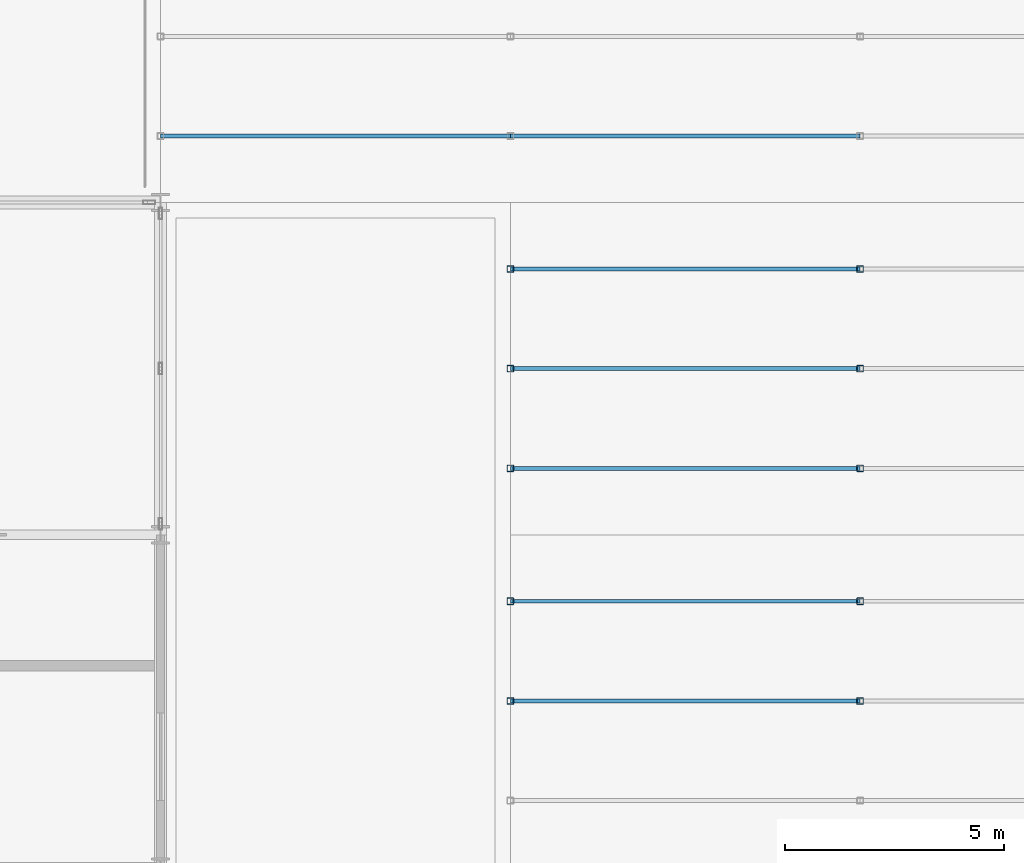
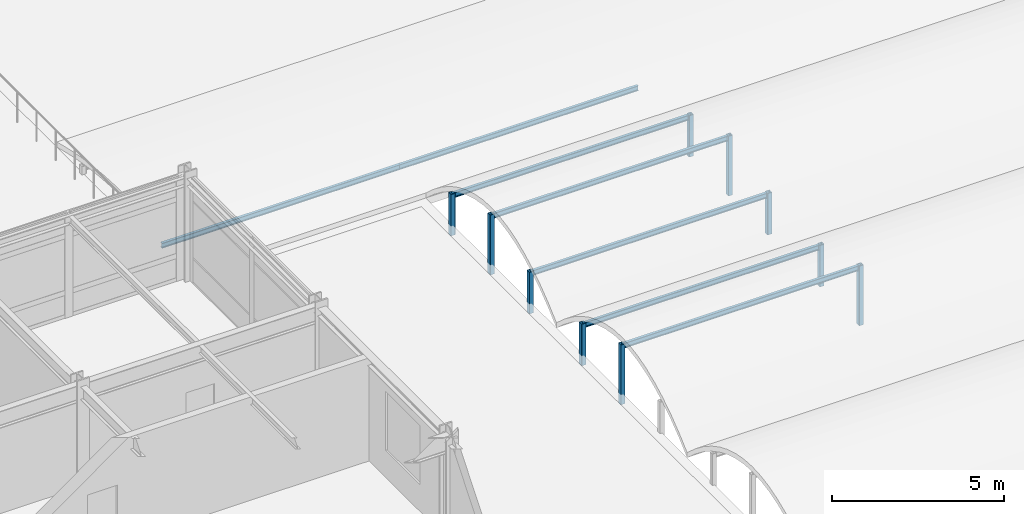
# One storey, part 18 of 46: 17 members.
"""IFC4 building model written with IfcOpenShell, lengths in metres."""

import ifcopenshell
import ifcopenshell.guid

model = None  # the IFC model being written
_history = None  # IfcOwnerHistory: only IFC2X3 demands one
_inside = {}  # id of a spatial element -> (the spatial element, [elements in it])
_under = {}  # id of a project, library or spatial element -> (it, [spatial elements below it])
_declared = {}  # id of a project -> (the project, [libraries it declares])
_typed = {}  # id of a type object -> (the type object, [elements of that type])
_made_of = {}  # id of a material, layer set ... -> (it, [elements and type objects made of it])


def new_model(schema):
    """Start an empty IFC model of exactly this schema.

    Asked for "IFC4X3", IfcOpenShell would pick the latest addendum, in which some entities
    have other attributes; the version numbers below select the first issue.
    IFC2X3 requires an IfcOwnerHistory on every rooted entity: one is made here for all.
    """
    global model, _history
    if schema == "IFC4X3":
        model = ifcopenshell.file(schema_version=(4, 3, 0, 0))
    else:
        model = ifcopenshell.file(schema=schema)
    _inside.clear()
    _under.clear()
    _declared.clear()
    _typed.clear()
    _made_of.clear()
    _history = None
    if model.schema == "IFC2X3":
        org = make("IfcOrganization", Name="unknown")
        user = make(
            "IfcPersonAndOrganization",
            ThePerson=make("IfcPerson", FamilyName="unknown"),
            TheOrganization=org,
        )
        app = make(
            "IfcApplication",
            ApplicationDeveloper=org,
            Version="unknown",
            ApplicationFullName="unknown",
            ApplicationIdentifier="unknown",
        )
        _history = make(
            "IfcOwnerHistory",
            OwningUser=user,
            OwningApplication=app,
            ChangeAction="ADDED",
            CreationDate=0,
        )
    return model


def make(cls, **values):
    """One entity of the class cls with the attributes given. An attribute that is None is left unset."""
    return model.create_entity(
        cls, **{name: value for name, value in values.items() if value is not None}
    )


def rooted(cls, **values):
    """An entity with a GlobalId (a new one), such as an element, a storey or a relation."""
    return make(cls, GlobalId=ifcopenshell.guid.new(), OwnerHistory=_history, **values)


def si_unit(unit_type, name, prefix=None):
    """IfcSIUnit, for example si_unit("LENGTHUNIT", "METRE", prefix="MILLI")."""
    return make("IfcSIUnit", UnitType=unit_type, Prefix=prefix, Name=name)


def assignment(units):
    """IfcUnitAssignment: the units of a project."""
    return None if units is None else make("IfcUnitAssignment", Units=units)


def point(xyz):
    """IfcCartesianPoint."""
    return None if xyz is None else make("IfcCartesianPoint", Coordinates=xyz)


def direction(xyz):
    """IfcDirection."""
    return None if xyz is None else make("IfcDirection", DirectionRatios=xyz)


def frame(location, z_axis=None, x_axis=None):
    """IfcAxis2Placement3D, a coordinate frame: its origin and axes. An axis left out is left unset."""
    return make(
        "IfcAxis2Placement3D",
        Location=point(location),
        Axis=direction(z_axis),
        RefDirection=direction(x_axis),
    )


def frame_2d(location, x_axis=None):
    """IfcAxis2Placement2D, a coordinate frame in the plane: its origin and x axis."""
    return make(
        "IfcAxis2Placement2D", Location=point(location), RefDirection=direction(x_axis)
    )


def origin():
    """The frame at (0, 0, 0) with its axes left unset."""
    return frame((0.0, 0.0, 0.0))


def origin_2d():
    """The frame at (0, 0) in the plane with its x axis left unset."""
    return frame_2d((0.0, 0.0))


def place(relative_to, where):
    """IfcLocalPlacement: puts the frame where relative to a parent placement (None: the world)."""
    return make(
        "IfcLocalPlacement", PlacementRelTo=relative_to, RelativePlacement=where
    )


def context(
    kind, dimensions, precision=None, world=None, true_north=None, identifier=None
):
    """IfcGeometricRepresentationContext, for example the 3D "Model" context."""
    return make(
        "IfcGeometricRepresentationContext",
        ContextIdentifier=identifier,
        ContextType=kind,
        CoordinateSpaceDimension=dimensions,
        Precision=precision,
        WorldCoordinateSystem=world,
        TrueNorth=true_north,
    )


def subcontext(parent, identifier, kind, view, scale=None):
    """IfcGeometricRepresentationSubContext, for example "Body" below "Model"."""
    return make(
        "IfcGeometricRepresentationSubContext",
        ContextIdentifier=identifier,
        ContextType=kind,
        ParentContext=parent,
        TargetScale=scale,
        TargetView=view,
    )


def project(units=None, contexts=None):
    """IfcProject with its units and contexts."""
    return rooted(
        "IfcProject",
        Name="project",
        RepresentationContexts=contexts,
        UnitsInContext=assignment(units),
    )


def spatial(cls, under=None, at=None, **own):
    """A site, building, storey or space (cls), placed at a placement, below another one or the project."""
    s = rooted(cls, ObjectPlacement=at, **own)
    if under is not None:
        _under.setdefault(under.id(), (under, []))[1].append(s)
    return s


def profile(cls, at=None, kind="AREA", **sizes):
    """A parametric profile (cls). Its sizes go by their IFC names, for example OverallWidth=200.0."""
    return make(cls, ProfileType=kind, Position=at, **sizes)


def hollow_rectangle(**sizes):
    """IfcRectangleHollowProfileDef."""
    return profile("IfcRectangleHollowProfileDef", **sizes)


def i_section(**sizes):
    """IfcIShapeProfileDef."""
    return profile("IfcIShapeProfileDef", **sizes)


def extrude(swept, where, along, depth):
    """IfcExtrudedAreaSolid: the profile swept, set in the frame where, extruded along a direction by depth."""
    return make(
        "IfcExtrudedAreaSolid",
        SweptArea=swept,
        Position=where,
        ExtrudedDirection=direction(along),
        Depth=depth,
    )


def shape(context_of_items, identifier, shape_type, items):
    """IfcShapeRepresentation: the items that make up one representation, for example the "Body"."""
    return make(
        "IfcShapeRepresentation",
        ContextOfItems=context_of_items,
        RepresentationIdentifier=identifier,
        RepresentationType=shape_type,
        Items=items,
    )


def material(Name=None, Category=None):
    """IfcMaterial."""
    return make("IfcMaterial", Name=Name, Category=Category)


def material_profile(
    of_material, cross_section, Name=None, Category=None, Priority=None
):
    """IfcMaterialProfile: a cross section and its material."""
    return make(
        "IfcMaterialProfile",
        Name=Name,
        Material=of_material,
        Profile=cross_section,
        Priority=Priority,
        Category=Category,
    )


def profile_set(profiles, Name=None, composite=None):
    """IfcMaterialProfileSet."""
    return make(
        "IfcMaterialProfileSet",
        Name=Name,
        MaterialProfiles=profiles,
        CompositeProfile=composite,
    )


def made_of(thing, what):
    """Note that an element or type object is made of a material, layer set ...; save() writes the relation."""
    if what is not None:
        _made_of.setdefault(what.id(), (what, []))[1].append(thing)
    return thing


def type_object(cls, material=None, **own):
    """A type object (cls), such as IfcWallType, which elements share."""
    return made_of(rooted(cls, **own), material)


def element(
    cls,
    number,
    at=None,
    inside=None,
    cuts=None,
    type_object=None,
    material=None,
    context=None,
    identifier="Body",
    shape_type=None,
    held_by="IfcProductDefinitionShape",
    body=None,
    shapes=None,
    **own,
):
    """One element of the class cls, such as IfcWall. Its Tag is "e" and its number.

    at: its placement. inside: the storey or other place that contains it. cuts: it is an
    opening in that element (IfcRelVoidsElement). A single representation is given by context,
    identifier, shape_type and body (its items); several are given by shapes. held_by: the class
    of the entity that holds the representations. save() writes the other relations.
    """
    e = rooted(cls, Tag="e%d" % number, ObjectPlacement=at, **own)
    if body is not None:
        shapes = [shape(context, identifier, shape_type, body)]
    if shapes is not None:
        e.Representation = make(held_by, Representations=shapes)
    if inside is not None:
        _inside.setdefault(inside.id(), (inside, []))[1].append(e)
    if cuts is not None:
        rooted(
            "IfcRelVoidsElement", RelatingBuildingElement=cuts, RelatedOpeningElement=e
        )
    if type_object is not None:
        _typed.setdefault(type_object.id(), (type_object, []))[1].append(e)
    return made_of(e, material)


def aggregate(whole, parts):
    """IfcRelAggregates: a whole, such as a stair, and the parts it consists of."""
    return rooted("IfcRelAggregates", RelatingObject=whole, RelatedObjects=parts)


def save(model, path):
    """Write the relations noted so far, then the file.

    IfcRelAggregates (storeys below a building ...), IfcRelContainedInSpatialStructure (elements
    in a storey), IfcRelDefinesByType, IfcRelAssociatesMaterial and IfcRelDeclares: one each for
    every whole, place, type object, material and project.
    """
    for whole, parts in _under.values():
        aggregate(whole, parts)
    for where, things in _inside.values():
        rooted(
            "IfcRelContainedInSpatialStructure",
            RelatedElements=things,
            RelatingStructure=where,
        )
    for kind, things in _typed.values():
        rooted("IfcRelDefinesByType", RelatedObjects=things, RelatingType=kind)
    for what, things in _made_of.values():
        rooted("IfcRelAssociatesMaterial", RelatedObjects=things, RelatingMaterial=what)
    for by, libraries in _declared.values():
        rooted("IfcRelDeclares", RelatingContext=by, RelatedDefinitions=libraries)
    model.write(path)


model = new_model("IFC4")

# Units and contexts
model_context = context("Model", 3, precision=1e-05, world=origin(), true_north=direction((0.0, 1.0)))
body_context = subcontext(model_context, "Body", "Model", "MODEL_VIEW")
ifc_project = project(units=[si_unit("LENGTHUNIT", "METRE"), si_unit("AREAUNIT", "SQUARE_METRE"), si_unit("VOLUMEUNIT", "CUBIC_METRE"), si_unit("PLANEANGLEUNIT", "RADIAN"), si_unit("MASSUNIT", "GRAM", prefix="KILO")], contexts=[model_context])

# Site, building, storey
site_placement = place(None, origin())
site = spatial("IfcSite", under=ifc_project, at=site_placement, CompositionType="ELEMENT")
building_placement = place(site_placement, origin())
building = spatial("IfcBuilding", under=site, at=building_placement, Name="Shalkamar Park Central Library", CompositionType="ELEMENT")
storey_placement = place(building_placement, frame((0.0, 0.0, 20.39990234375)))
storey = spatial("IfcBuildingStorey", under=building, at=storey_placement, Name="L05", CompositionType="ELEMENT", Elevation=20.39990234375)

# Members
ifc_material = material(Name="Steel S355", Category="steel")
ifc_material_profile_1 = material_profile(ifc_material, hollow_rectangle(XDim=0.14990234375, YDim=0.14990234375, WallThickness=0.008056640625, InnerFilletRadius=0.008056640625, OuterFilletRadius=0.011962890625, at=origin_2d()), Name="SHS 150x150x8")
ifc_profile_set_1 = profile_set([ifc_material_profile_1], Name="Steel S355")
member_type_1 = type_object("IfcMemberType", Name="Diagonal Brace SHS150", PredefinedType="BRACE", material=ifc_profile_set_1)
member_1_placement = place(storey_placement, frame((229.0, 281.800048828125, -0.35986328125), z_axis=(0.0, 0.0, 1.0), x_axis=(1.0, 0.0, 0.0)))
element("IfcMember", 1, at=member_1_placement, inside=storey, type_object=member_type_1, Name="Vault Arch Post BV-L04-2-15.2", PredefinedType="BRACE", context=body_context, shape_type="SweptSolid", body=[
    extrude(hollow_rectangle(XDim=0.14990234375, YDim=0.14990234375, WallThickness=0.008056640625, InnerFilletRadius=0.008056640625, OuterFilletRadius=0.011962890625, at=origin_2d()), origin(), (0.0, 0.0, 1.0), 2.119873046875),
])
member_2_placement = place(storey_placement, frame((229.0, 284.080078125, -0.35986328125), z_axis=(0.0, 0.0, 1.0), x_axis=(1.0, 0.0, 0.0)))
element("IfcMember", 2, at=member_2_placement, inside=storey, type_object=member_type_1, Name="Vault Arch Post BV-L04-2-15.3", PredefinedType="BRACE", context=body_context, shape_type="SweptSolid", body=[
    extrude(hollow_rectangle(XDim=0.14990234375, YDim=0.14990234375, WallThickness=0.008056640625, InnerFilletRadius=0.008056640625, OuterFilletRadius=0.011962890625, at=origin_2d()), origin(), (0.0, 0.0, 1.0), 1.471923828125),
])
member_3_placement = place(storey_placement, frame((237.0, 281.800048828125, -0.35986328125), z_axis=(0.0, 0.0, 1.0), x_axis=(1.0, 0.0, 0.0)))
element("IfcMember", 3, at=member_3_placement, inside=storey, type_object=member_type_1, Name="Vault Arch Post BV-L04-2-16.2", PredefinedType="BRACE", context=body_context, shape_type="SweptSolid", body=[
    extrude(hollow_rectangle(XDim=0.14990234375, YDim=0.14990234375, WallThickness=0.008056640625, InnerFilletRadius=0.008056640625, OuterFilletRadius=0.011962890625, at=origin_2d()), origin(), (0.0, 0.0, 1.0), 2.119873046875),
])
for number, where, z_axis, x_axis, name in (
    (4, (237.0, 284.080078125, -0.35986328125), (0.0, 0.0, 1.0), (1.0, 0.0, 0.0), "Vault Arch Post BV-L04-2-16.3"),
    (5, (229.0, 287.1201171875, -0.35986328125), (0.0, 0.0, 1.0), (1.0, 0.0, 0.0), "Vault Arch Post BV-L04-3-15.1"),
):
    element("IfcMember", number, at=place(storey_placement, frame(where, z_axis=z_axis, x_axis=x_axis)), inside=storey, type_object=member_type_1, Name=name, PredefinedType="BRACE", context=body_context, shape_type="SweptSolid", body=[
        extrude(hollow_rectangle(XDim=0.14990234375, YDim=0.14990234375, WallThickness=0.008056640625, InnerFilletRadius=0.008056640625, OuterFilletRadius=0.011962890625, at=origin_2d()), origin(), (0.0, 0.0, 1.0), 1.471923828125),
    ])
member_4_placement = place(storey_placement, frame((229.0, 289.39990234375, -0.35986328125), z_axis=(0.0, 0.0, 1.0), x_axis=(1.0, 0.0, 0.0)))
element("IfcMember", 6, at=member_4_placement, inside=storey, type_object=member_type_1, Name="Vault Arch Post BV-L04-3-15.2", PredefinedType="BRACE", context=body_context, shape_type="SweptSolid", body=[
    extrude(hollow_rectangle(XDim=0.14990234375, YDim=0.14990234375, WallThickness=0.008056640625, InnerFilletRadius=0.008056640625, OuterFilletRadius=0.011962890625, at=origin_2d()), origin(), (0.0, 0.0, 1.0), 2.119873046875),
])
for number, where, z_axis, x_axis, name in (
    (7, (229.0, 291.679931640625, -0.35986328125), (0.0, 0.0, 1.0), (1.0, 0.0, 0.0), "Vault Arch Post BV-L04-3-15.3"),
    (8, (237.0, 287.1201171875, -0.35986328125), (0.0, 0.0, 1.0), (1.0, 0.0, 0.0), "Vault Arch Post BV-L04-3-16.1"),
):
    element("IfcMember", number, at=place(storey_placement, frame(where, z_axis=z_axis, x_axis=x_axis)), inside=storey, type_object=member_type_1, Name=name, PredefinedType="BRACE", context=body_context, shape_type="SweptSolid", body=[
        extrude(hollow_rectangle(XDim=0.14990234375, YDim=0.14990234375, WallThickness=0.008056640625, InnerFilletRadius=0.008056640625, OuterFilletRadius=0.011962890625, at=origin_2d()), origin(), (0.0, 0.0, 1.0), 1.471923828125),
    ])
member_5_placement = place(storey_placement, frame((237.0, 289.39990234375, -0.35986328125), z_axis=(0.0, 0.0, 1.0), x_axis=(1.0, 0.0, 0.0)))
element("IfcMember", 9, at=member_5_placement, inside=storey, type_object=member_type_1, Name="Vault Arch Post BV-L04-3-16.2", PredefinedType="BRACE", context=body_context, shape_type="SweptSolid", body=[
    extrude(hollow_rectangle(XDim=0.14990234375, YDim=0.14990234375, WallThickness=0.008056640625, InnerFilletRadius=0.008056640625, OuterFilletRadius=0.011962890625, at=origin_2d()), origin(), (0.0, 0.0, 1.0), 2.119873046875),
])
member_6_placement = place(storey_placement, frame((237.0, 291.679931640625, -0.35986328125), z_axis=(0.0, 0.0, 1.0), x_axis=(1.0, 0.0, 0.0)))
element("IfcMember", 10, at=member_6_placement, inside=storey, type_object=member_type_1, Name="Vault Arch Post BV-L04-3-16.3", PredefinedType="BRACE", context=body_context, shape_type="SweptSolid", body=[
    extrude(hollow_rectangle(XDim=0.14990234375, YDim=0.14990234375, WallThickness=0.008056640625, InnerFilletRadius=0.008056640625, OuterFilletRadius=0.011962890625, at=origin_2d()), origin(), (0.0, 0.0, 1.0), 1.471923828125),
])
ifc_material_profile_2 = material_profile(ifc_material, i_section(OverallWidth=0.091064453125, OverallDepth=0.179931640625, WebThickness=0.00537109375, FlangeThickness=0.008056640625, FilletRadius=0.009033203125, at=origin_2d()), Name="IPE 180")
ifc_profile_set_2 = profile_set([ifc_material_profile_2], Name="Steel S355")
member_type_2 = type_object("IfcMemberType", Name="Roof Purlin IPE180", PredefinedType="PURLIN", material=ifc_profile_set_2)
for number, where, z_axis, x_axis, name in (
    (11, (229.0, 281.800048828125, 1.670166015625), (1.0, 0.0, 0.0), (0.0, 1.0, 0.0), "Barrel Roof Purlin BV-L04-2-2.15"),
    (12, (229.0, 284.080078125, 1.022216796875), (1.0, 0.0, 0.0), (0.0, 1.0, 0.0), "Barrel Roof Purlin BV-L04-2-3.15"),
    (13, (229.0, 287.1201171875, 1.022216796875), (1.0, 0.0, 0.0), (0.0, 1.0, 0.0), "Barrel Roof Purlin BV-L04-3-1.15"),
    (14, (229.0, 289.39990234375, 1.670166015625), (1.0, 0.0, 0.0), (0.0, 1.0, 0.0), "Barrel Roof Purlin BV-L04-3-2.15"),
    (15, (229.0, 291.679931640625, 1.022216796875), (1.0, 0.0, 0.0), (0.0, 1.0, 0.0), "Barrel Roof Purlin BV-L04-3-3.15"),
    (16, (221.0, 294.719970703125, 0.202880859375), (1.0, 0.0, 0.0), (0.0, 1.0, 0.0), "Barrel Roof Purlin BV-L04-N1-1.14"),
    (17, (229.0, 294.719970703125, 0.202880859375), (1.0, 0.0, 0.0), (0.0, 1.0, 0.0), "Barrel Roof Purlin BV-L04-N1-1.15"),
):
    element("IfcMember", number, at=place(storey_placement, frame(where, z_axis=z_axis, x_axis=x_axis)), inside=storey, type_object=member_type_2, Name=name, PredefinedType="PURLIN", context=body_context, shape_type="SweptSolid", body=[
        extrude(i_section(OverallWidth=0.091064453125, OverallDepth=0.179931640625, WebThickness=0.00537109375, FlangeThickness=0.008056640625, FilletRadius=0.009033203125, at=origin_2d()), origin(), (0.0, 0.0, 1.0), 8.0),
    ])

save(model, "model.ifc")
